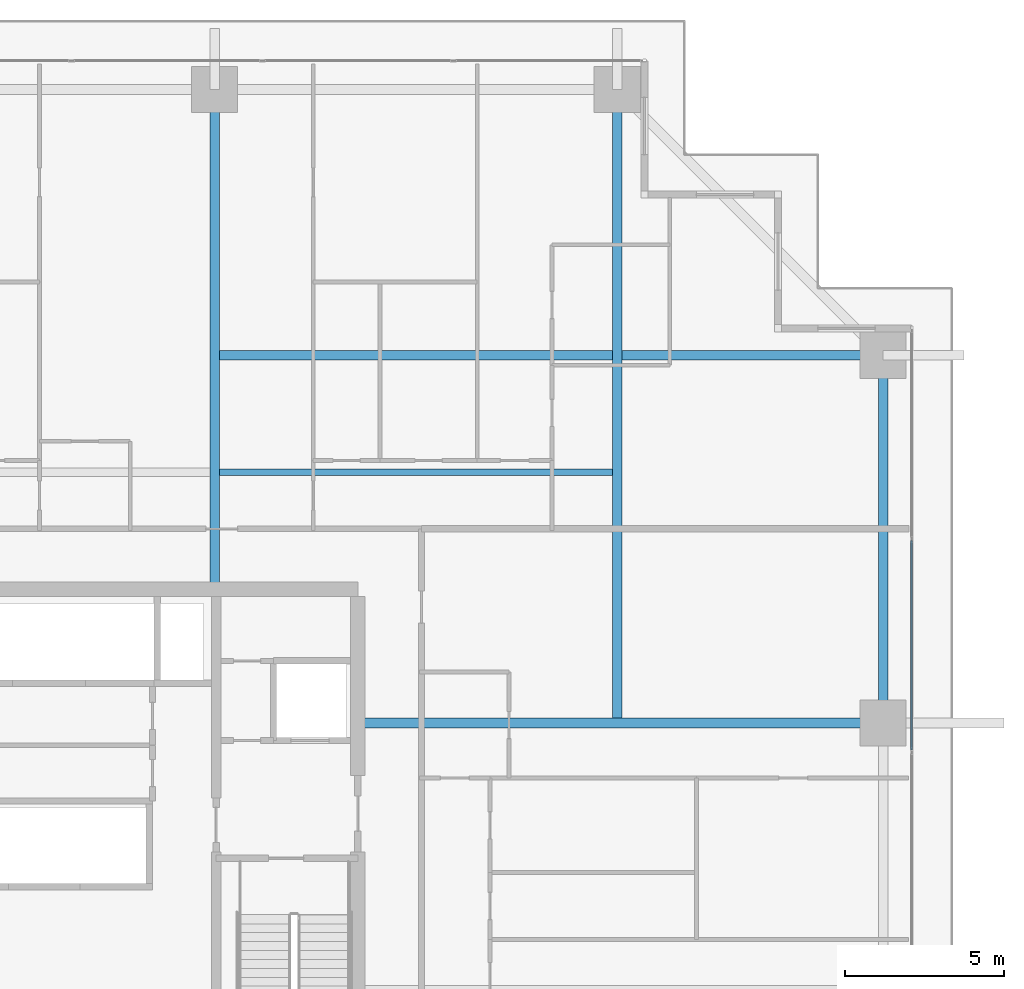
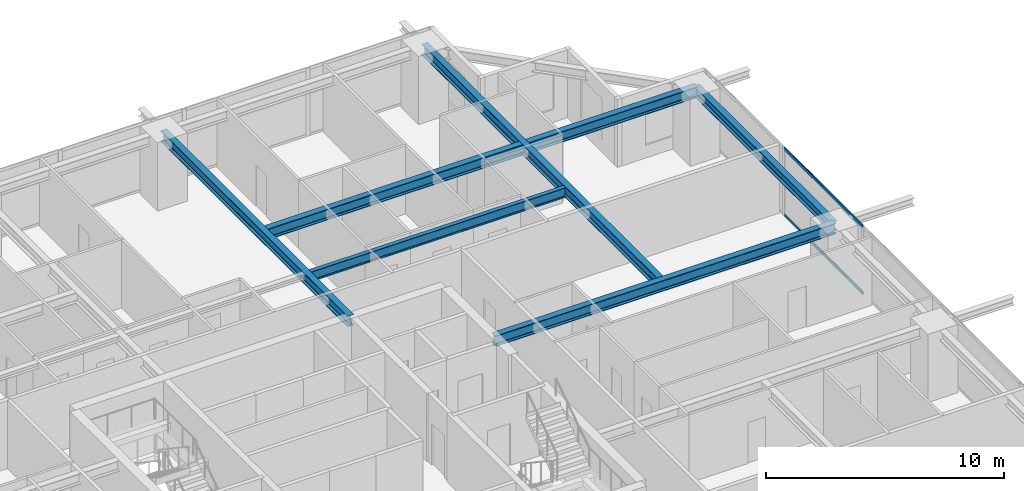
# One storey, part 22 of 41: 6 beams, 2 members, 1 element without a shape of its own.
"""IFC4 building model written with IfcOpenShell, lengths in metres."""

from ifc_helpers import new_model, si_unit, direction, frame, origin, origin_2d, place, context, subcontext, project, spatial, hollow_rectangle, i_section, extrude, source, transform, mapped, material, layer, layer_set, material_profile, profile_set, type_object, element, aggregate, save


model = new_model("IFC4")

# Units and contexts
model_context = context("Model", 3, precision=1e-05, world=origin(), true_north=direction((0.0, 1.0)))
body_context = subcontext(model_context, "Body", "Model", "MODEL_VIEW")
ifc_project = project(units=[si_unit("LENGTHUNIT", "METRE"), si_unit("AREAUNIT", "SQUARE_METRE"), si_unit("VOLUMEUNIT", "CUBIC_METRE"), si_unit("PLANEANGLEUNIT", "RADIAN"), si_unit("MASSUNIT", "GRAM", prefix="KILO")], contexts=[model_context])

# Site, building, storey
site_placement = place(None, origin())
site = spatial("IfcSite", under=ifc_project, at=site_placement, CompositionType="ELEMENT")
building_placement = place(site_placement, origin())
building = spatial("IfcBuilding", under=site, at=building_placement, Name="Serunith Strait Residences", CompositionType="ELEMENT")
storey_placement = place(building_placement, frame((0.0, 0.0, 75.449951171875)))
storey = spatial("IfcBuildingStorey", under=building, at=storey_placement, Name="L18", CompositionType="ELEMENT", Elevation=75.449951171875)

# Beams
ifc_material_1 = material(Name="Steel S355J2", Category="steel")
ifc_material_profile_1 = material_profile(ifc_material_1, i_section(OverallWidth=0.300048828125, OverallDepth=0.550048828125, WebThickness=0.014892578125, FlangeThickness=0.029052734375, FilletRadius=0.027099609375, at=origin_2d()), Name="HEB 550")
ifc_profile_set_1 = profile_set([ifc_material_profile_1], Name="Steel S355J2")
beam_type_1 = type_object("IfcBeamType", Name="BM-HEB550", PredefinedType="BEAM", material=ifc_profile_set_1)
shared_shape_1 = source(origin(), body_context, "Body", "SweptSolid", [
    extrude(i_section(OverallWidth=0.300048828125, OverallDepth=0.550048828125, WebThickness=0.014892578125, FlangeThickness=0.029052734375, FilletRadius=0.027099609375, at=origin_2d()), origin(), (0.0, 0.0, 1.0), 15.699951171875),
])
beam_1_placement = place(storey_placement, frame((36.89990234375, 33.60009765625, 3.212158203125), z_axis=(0.0, 1.0, 0.0), x_axis=(-1.0, 0.0, 0.0)))
element("IfcBeam", 1, at=beam_1_placement, inside=storey, type_object=beam_type_1, Name="L18 Primary Floor Girder TC-N3", PredefinedType="BEAM", context=body_context, shape_type="MappedRepresentation", body=[
    mapped(shared_shape_1, transform((0.0, 0.0, 0.0), scale=1.0)),
])
shared_shape_2 = source(origin(), body_context, "Body", "SweptSolid", [
    extrude(i_section(OverallWidth=0.300048828125, OverallDepth=0.550048828125, WebThickness=0.014892578125, FlangeThickness=0.029052734375, FilletRadius=0.027099609375, at=origin_2d()), origin(), (0.0, 0.0, 1.0), 16.5),
])
beam_2_placement = place(storey_placement, frame((41.39990234375, 29.39990234375, 3.212158203125), z_axis=(1.0, 0.0, 0.0), x_axis=(0.0, 1.0, 0.0)))
element("IfcBeam", 2, at=beam_2_placement, inside=storey, type_object=beam_type_1, Name="L18 Primary Floor Girder TC-E3", PredefinedType="BEAM", context=body_context, shape_type="MappedRepresentation", body=[
    mapped(shared_shape_2, transform((0.0, 0.0, 0.0), scale=1.0)),
])
shared_shape_3 = source(origin(), body_context, "Body", "SweptSolid", [
    extrude(i_section(OverallWidth=0.300048828125, OverallDepth=0.550048828125, WebThickness=0.014892578125, FlangeThickness=0.029052734375, FilletRadius=0.027099609375, at=origin_2d()), origin(), (0.0, 0.0, 1.0), 19.900146484375),
])
beam_3_placement = place(storey_placement, frame((49.550048828125, 29.39990234375, 3.212158203125), z_axis=(0.0, 1.0, 0.0), x_axis=(-1.0, 0.0, 0.0)))
element("IfcBeam", 3, at=beam_3_placement, inside=storey, type_object=beam_type_1, Name="L18 Orthogonal Corner Girder TC-N4", PredefinedType="BEAM", context=body_context, shape_type="MappedRepresentation", body=[
    mapped(shared_shape_3, transform((0.0, 0.0, 0.0), scale=1.0)),
])
shared_shape_4 = source(origin(), body_context, "Body", "SweptSolid", [
    extrude(i_section(OverallWidth=0.300048828125, OverallDepth=0.550048828125, WebThickness=0.014892578125, FlangeThickness=0.029052734375, FilletRadius=0.027099609375, at=origin_2d()), origin(), (0.0, 0.0, 1.0), 21.0),
])
beam_4_placement = place(storey_placement, frame((36.89990234375, 40.949951171875, 3.212158203125), z_axis=(1.0, 0.0, 0.0), x_axis=(0.0, 1.0, 0.0)))
element("IfcBeam", 4, at=beam_4_placement, inside=storey, type_object=beam_type_1, Name="L18 Orthogonal Corner Girder TC-E4", PredefinedType="BEAM", context=body_context, shape_type="MappedRepresentation", body=[
    mapped(shared_shape_4, transform((0.0, 0.0, 0.0), scale=1.0)),
])
ifc_material_profile_2 = material_profile(ifc_material_1, i_section(OverallWidth=0.300048828125, OverallDepth=0.5, WebThickness=0.014404296875, FlangeThickness=0.028076171875, FilletRadius=0.027099609375, at=origin_2d()), Name="HEB 500")
ifc_profile_set_2 = profile_set([ifc_material_profile_2], Name="Steel S355J2")
beam_type_2 = type_object("IfcBeamType", Name="BM-HEB500", PredefinedType="BEAM", material=ifc_profile_set_2)
shared_shape_5 = source(origin(), body_context, "Body", "SweptSolid", [
    extrude(i_section(OverallWidth=0.300048828125, OverallDepth=0.5, WebThickness=0.014404296875, FlangeThickness=0.028076171875, FilletRadius=0.027099609375, at=origin_2d()), origin(), (0.0, 0.0, 1.0), 11.550048828125),
])
beam_5_placement = place(storey_placement, frame((57.89990234375, 29.39990234375, 3.237060546875), z_axis=(0.0, 1.0, 0.0), x_axis=(-1.0, 0.0, 0.0)))
element("IfcBeam", 5, at=beam_5_placement, inside=storey, type_object=beam_type_2, Name="L18 Perimeter Ring Beam 07", PredefinedType="BEAM", context=body_context, shape_type="MappedRepresentation", body=[
    mapped(shared_shape_5, transform((0.0, 0.0, 0.0), scale=1.0)),
])
ifc_material_profile_3 = material_profile(ifc_material_1, i_section(OverallWidth=0.199951171875, OverallDepth=0.5, WebThickness=0.01025390625, FlangeThickness=0.01611328125, FilletRadius=0.02099609375, at=origin_2d()), Name="IPE 500")
ifc_profile_set_3 = profile_set([ifc_material_profile_3], Name="Steel S355J2")
beam_type_3 = type_object("IfcBeamType", Name="BM-IPE500", PredefinedType="JOIST", material=ifc_profile_set_3)
shared_shape_6 = source(origin(), body_context, "Body", "SweptSolid", [
    extrude(i_section(OverallWidth=0.199951171875, OverallDepth=0.5, WebThickness=0.01025390625, FlangeThickness=0.01611328125, FilletRadius=0.02099609375, at=origin_2d()), origin(), (0.0, 0.0, 1.0), 12.349853515625),
])
beam_6_placement = place(storey_placement, frame((37.050048828125, 37.27490234375, 3.237060546875), z_axis=(1.0, 0.0, 0.0), x_axis=(0.0, 1.0, 0.0)))
element("IfcBeam", 6, at=beam_6_placement, inside=storey, type_object=beam_type_3, Name="L18 Composite Floor Joist 06", PredefinedType="JOIST", context=body_context, shape_type="MappedRepresentation", body=[
    mapped(shared_shape_6, transform((0.0, 0.0, 0.0), scale=1.0)),
])

# Curtain wall, members
ifc_material_2 = material(Name="Pale-Champagne Anodised Aluminium", Category="aluminium")
ifc_layer = layer(ifc_material_2, 0.199951171875, Name="Pale-Champagne Anodised Aluminium")
ifc_layer_set = layer_set([ifc_layer], Name="Pale-Champagne Anodised Aluminium")
curtain_wall_type = type_object("IfcCurtainWallType", Name="CW-SYS1", PredefinedType="NOTDEFINED", material=ifc_layer_set)
curtain_wall_placement = place(storey_placement, origin())
curtain_wall = element("IfcCurtainWall", 7, at=curtain_wall_placement, inside=storey, type_object=curtain_wall_type, Name="L18 E Unitised Fritted Curtain Wall", PredefinedType="NOTDEFINED")
ifc_material_profile_4 = material_profile(ifc_material_2, hollow_rectangle(XDim=0.06005859375, YDim=0.159912109375, WallThickness=0.00341796875, InnerFilletRadius=0.00537109375, OuterFilletRadius=0.0087890625, at=origin_2d()), Name="ALU 160x60x3.5")
ifc_profile_set_4 = profile_set([ifc_material_profile_4], Name="Pale-Champagne Anodised Aluminium")
member_type = type_object("IfcMemberType", Name="CW-SYS1-TRAN", PredefinedType="USERDEFINED", material=ifc_profile_set_4)
shared_shape_7 = source(origin(), body_context, "Body", "SweptSolid", [
    extrude(hollow_rectangle(XDim=0.06005859375, YDim=0.159912109375, WallThickness=0.00341796875, InnerFilletRadius=0.00537109375, OuterFilletRadius=0.0087890625, at=origin_2d()), origin(), (0.0, 0.0, 1.0), 6.570068359375),
])
member_1_placement = place(storey_placement, frame((58.800048828125, 28.554931640625, 0.030029296875), z_axis=(0.0, 1.0, 0.0), x_axis=(-1.0, 0.0, 0.0)))
member_1 = element("IfcMember", 8, at=member_1_placement, type_object=member_type, Name="CW-1 transom 4.1", ObjectType="TRANSOM", PredefinedType="USERDEFINED", context=body_context, shape_type="MappedRepresentation", body=[
    mapped(shared_shape_7, transform((0.0, 0.0, 0.0), scale=1.0)),
])
member_2_placement = place(storey_placement, frame((58.800048828125, 28.554931640625, 3.445068359375), z_axis=(0.0, 1.0, 0.0), x_axis=(-1.0, 0.0, 0.0)))
member_2 = element("IfcMember", 9, at=member_2_placement, type_object=member_type, Name="CW-1 transom 4.2", ObjectType="TRANSOM", PredefinedType="USERDEFINED", context=body_context, shape_type="MappedRepresentation", body=[
    mapped(shared_shape_7, transform((0.0, 0.0, 0.0), scale=1.0)),
])
aggregate(curtain_wall, [member_1, member_2])

save(model, "model.ifc")
